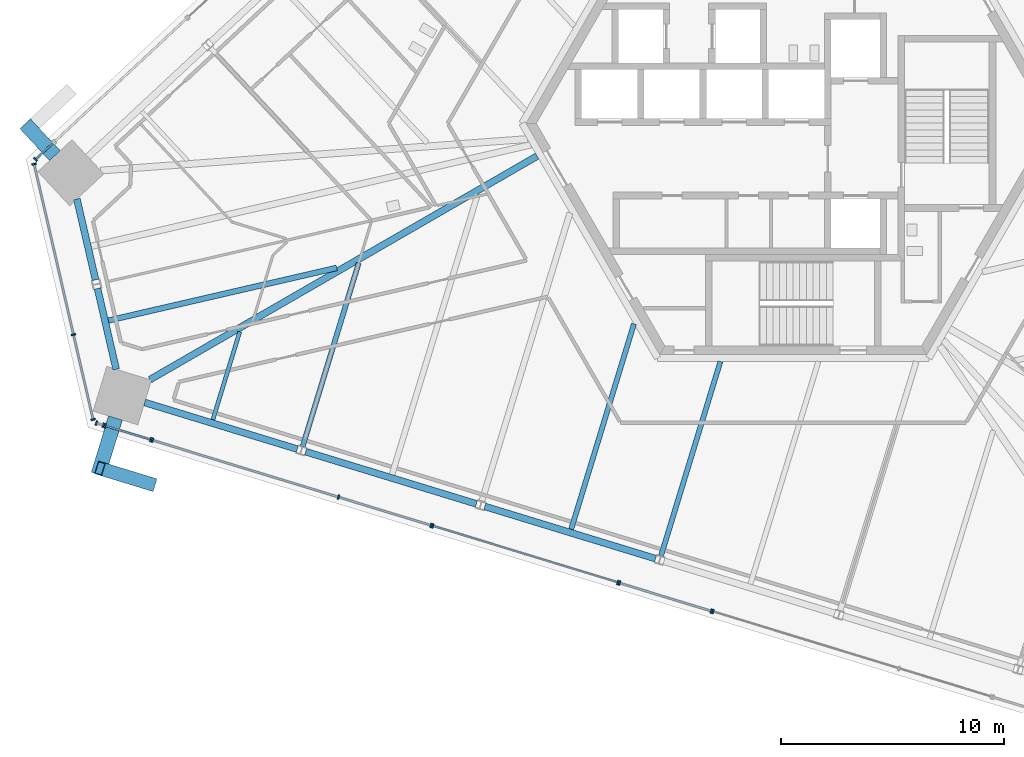
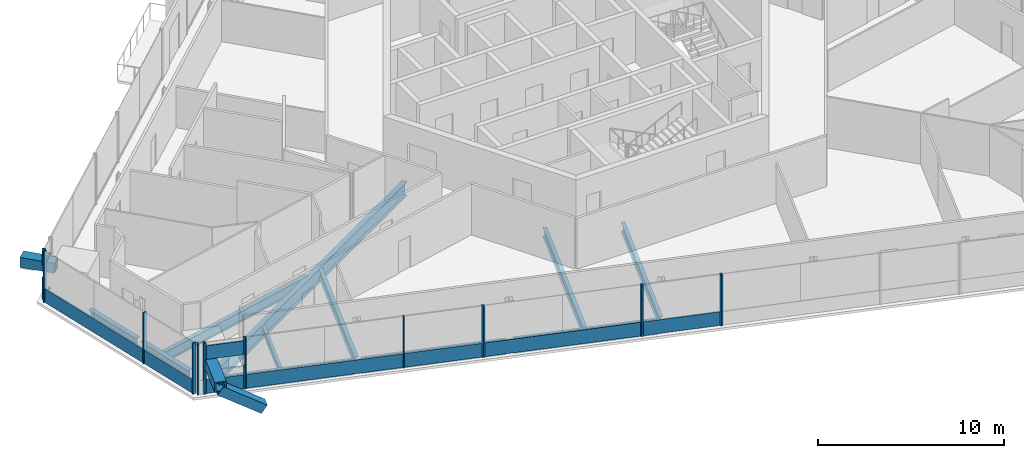
# One storey, part 4 of 25: 32 members, 11 beams, 10 elements without a shape of their own.
"""IFC4 building model written with IfcOpenShell, lengths in metres."""

from ifc_helpers import new_model, si_unit, direction, frame, origin, origin_2d, place, context, subcontext, project, spatial, rectangle, hollow_rectangle, i_section, extrude, source, transform, mapped, material, material_profile, profile_set, type_object, element, aggregate, save


model = new_model("IFC4")

# Units and contexts
model_context = context("Model", 3, precision=1e-05, world=origin(), true_north=direction((0.0, 1.0)))
body_context = subcontext(model_context, "Body", "Model", "MODEL_VIEW")
ifc_project = project(units=[si_unit("LENGTHUNIT", "METRE"), si_unit("AREAUNIT", "SQUARE_METRE"), si_unit("VOLUMEUNIT", "CUBIC_METRE"), si_unit("PLANEANGLEUNIT", "RADIAN"), si_unit("MASSUNIT", "GRAM", prefix="KILO")], contexts=[model_context])

# Site, building, storey
site_placement = place(None, origin())
site = spatial("IfcSite", under=ifc_project, at=site_placement, CompositionType="ELEMENT")
building_placement = place(site_placement, origin())
building = spatial("IfcBuilding", under=site, at=building_placement, Name="Triune Harvest Tower", CompositionType="ELEMENT")
storey_placement = place(building_placement, frame((0.0, 0.0, 130.699951171875)))
storey = spatial("IfcBuildingStorey", under=building, at=storey_placement, Name="L33", CompositionType="ELEMENT", Elevation=130.699951171875)

# Beams
ifc_material_1 = material(Name="Steel ASTM A992 Gr 50", Category="steel")
ifc_material_profile_1 = material_profile(ifc_material_1, i_section(OverallWidth=0.3046875, OverallDepth=0.914306640625, WebThickness=0.0166015625, FlangeThickness=0.02587890625, at=origin_2d()), Name="W36x160")
ifc_profile_set_1 = profile_set([ifc_material_profile_1], Name="Steel ASTM A992 Gr 50")
beam_type_1 = type_object("IfcBeamType", Name="SB-1 Spandrel beam W36x160", PredefinedType="SPANDREL", material=ifc_profile_set_1)
shared_shape_1 = source(origin(), body_context, "Body", "SweptSolid", [
    extrude(i_section(OverallWidth=0.3046875, OverallDepth=0.914306640625, WebThickness=0.0166015625, FlangeThickness=0.02587890625, at=origin_2d()), origin(), (0.0, 0.0, 1.0), 8.018310546875),
])
beam_1_placement = place(storey_placement, frame((-21.8994140625, -14.747314453125, -0.6171875), z_axis=(0.956308069579, -0.292360866152, 0.0), x_axis=(0.292360866152, 0.956308069579, 0.0)))
element("IfcBeam", 1, at=beam_1_placement, inside=storey, type_object=beam_type_1, Name="beam/L33/SB18", PredefinedType="SPANDREL", context=body_context, shape_type="MappedRepresentation", body=[
    mapped(shared_shape_1, transform((0.0, 0.0, 0.0), scale=1.0)),
])
shared_shape_2 = source(origin(), body_context, "Body", "SweptSolid", [
    extrude(i_section(OverallWidth=0.3046875, OverallDepth=0.914306640625, WebThickness=0.0166015625, FlangeThickness=0.02587890625, at=origin_2d()), origin(), (0.0, 0.0, 1.0), 8.01806640625),
])
beam_2_placement = place(storey_placement, frame((-13.8525390625, -17.207275390625, -0.6171875), z_axis=(0.956305466934, -0.292369379231, 0.0), x_axis=(0.292369379231, 0.956305466934, 0.0)))
element("IfcBeam", 2, at=beam_2_placement, inside=storey, type_object=beam_type_1, Name="beam/L33/SB19", PredefinedType="SPANDREL", context=body_context, shape_type="MappedRepresentation", body=[
    mapped(shared_shape_2, transform((0.0, 0.0, 0.0), scale=1.0)),
])
shared_shape_3 = source(origin(), body_context, "Body", "SweptSolid", [
    extrude(i_section(OverallWidth=0.3046875, OverallDepth=0.914306640625, WebThickness=0.0166015625, FlangeThickness=0.02587890625, at=origin_2d()), origin(), (0.0, 0.0, 1.0), 7.16650390625),
])
beam_3_placement = place(storey_placement, frame((-29.131591796875, -12.5361328125, -0.6171875), z_axis=(0.956306336732, -0.292366534211, 0.0), x_axis=(0.292366534211, 0.956306336732, 0.0)))
element("IfcBeam", 3, at=beam_3_placement, inside=storey, type_object=beam_type_1, Name="beam/L33/SB17", PredefinedType="SPANDREL", context=body_context, shape_type="MappedRepresentation", body=[
    mapped(shared_shape_3, transform((0.0, 0.0, 0.0), scale=1.0)),
])
shared_shape_4 = source(origin(), body_context, "Body", "SweptSolid", [
    extrude(i_section(OverallWidth=0.3046875, OverallDepth=0.914306640625, WebThickness=0.0166015625, FlangeThickness=0.02587890625, at=origin_2d()), origin(), (0.0, 0.0, 1.0), 3.72607421875),
])
for number, where, z_axis, x_axis, name in (
    (4, (-32.173828125, -3.400390625, -0.6171875), (0.224936070713, -0.974373523908, 0.0), (0.974373523908, 0.224936070713, 0.0), "beam/L33/SB15"),
    (5, (-31.24658203125, -7.4169921875, -0.6171875), (0.224998275907, -0.974359161623, 0.0), (0.974359161623, 0.224998275907, 0.0), "beam/L33/SB16"),
):
    element("IfcBeam", number, at=place(storey_placement, frame(where, z_axis=z_axis, x_axis=x_axis)), inside=storey, type_object=beam_type_1, Name=name, PredefinedType="SPANDREL", context=body_context, shape_type="MappedRepresentation", body=[
        mapped(shared_shape_4, transform((0.0, 0.0, 0.0), scale=1.0)),
    ])
ifc_material_2 = material(Name="Steel ASTM A992 Gr 50", Category="steel")
ifc_material_profile_2 = material_profile(ifc_material_2, i_section(OverallWidth=0.307373046875, OverallDepth=0.922119140625, WebThickness=0.018310546875, FlangeThickness=0.030029296875, at=origin_2d()), Name="W36x182")
ifc_profile_set_2 = profile_set([ifc_material_profile_2], Name="Steel ASTM A992 Gr 50")
beam_type_2 = type_object("IfcBeamType", Name="HG-2 Hip girder W36x182", PredefinedType="BEAM", material=ifc_profile_set_2)
shared_shape_5 = source(origin(), body_context, "Body", "SweptSolid", [
    extrude(i_section(OverallWidth=0.307373046875, OverallDepth=0.922119140625, WebThickness=0.018310546875, FlangeThickness=0.030029296875, at=origin_2d()), origin(), (0.0, 0.0, 1.0), 20.080078125),
])
beam_4_placement = place(storey_placement, frame((-28.892333984375, -11.51123046875, -0.620849609375), z_axis=(0.866025837197, 0.499999249307, 0.0), x_axis=(-0.499999249307, 0.866025837197, 0.0)))
element("IfcBeam", 6, at=beam_4_placement, inside=storey, type_object=beam_type_2, Name="beam/L33/HG6", PredefinedType="BEAM", context=body_context, shape_type="MappedRepresentation", body=[
    mapped(shared_shape_5, transform((0.0, 0.0, 0.0), scale=1.0)),
])
ifc_material_3 = material(Name="Steel ASTM A992 Gr 50", Category="steel")
ifc_material_profile_3 = material_profile(ifc_material_3, i_section(OverallWidth=0.22900390625, OverallDepth=0.612060546875, WebThickness=0.011962890625, FlangeThickness=0.01953125, at=origin_2d()), Name="W24x84")
ifc_profile_set_3 = profile_set([ifc_material_profile_3], Name="Steel ASTM A992 Gr 50")
beam_type_3 = type_object("IfcBeamType", Name="JT-3 Floor joist W24x84", PredefinedType="JOIST", material=ifc_profile_set_3)
shared_shape_6 = source(origin(), body_context, "Body", "SweptSolid", [
    extrude(i_section(OverallWidth=0.22900390625, OverallDepth=0.612060546875, WebThickness=0.011962890625, FlangeThickness=0.01953125, at=origin_2d()), origin(), (0.0, 0.0, 1.0), 9.129150390625),
])
beam_5_placement = place(storey_placement, frame((-5.939453125, -19.42724609375, -0.466064453125), z_axis=(0.292356457167, 0.956309417476, 0.0), x_axis=(-0.956309417476, 0.292356457167, 0.0)))
element("IfcBeam", 7, at=beam_5_placement, inside=storey, type_object=beam_type_3, Name="beam/L33/JT32", PredefinedType="JOIST", context=body_context, shape_type="MappedRepresentation", body=[
    mapped(shared_shape_6, transform((0.0, 0.0, 0.0), scale=1.0)),
])
ifc_material_4 = material(Name="Steel ASTM A992 Gr 50", Category="steel")
ifc_material_profile_4 = material_profile(ifc_material_4, i_section(OverallWidth=0.180908203125, OverallDepth=0.41650390625, WebThickness=0.010986328125, FlangeThickness=0.01806640625, at=origin_2d()), Name="W16x57")
ifc_profile_set_4 = profile_set([ifc_material_profile_4], Name="Steel ASTM A992 Gr 50")
beam_type_4 = type_object("IfcBeamType", Name="JT-1 Floor joist W16x57", PredefinedType="JOIST", material=ifc_profile_set_4)
shared_shape_7 = source(origin(), body_context, "Body", "SweptSolid", [
    extrude(i_section(OverallWidth=0.180908203125, OverallDepth=0.41650390625, WebThickness=0.010986328125, FlangeThickness=0.01806640625, at=origin_2d()), origin(), (0.0, 0.0, 1.0), 4.134033203125),
])
beam_6_placement = place(storey_placement, frame((-26.067626953125, -13.3134765625, -0.3681640625), z_axis=(0.29238807321, 0.956299751461, 0.0), x_axis=(-0.956299751461, 0.29238807321, 0.0)))
element("IfcBeam", 8, at=beam_6_placement, inside=storey, type_object=beam_type_4, Name="beam/L33/JT27", PredefinedType="JOIST", context=body_context, shape_type="MappedRepresentation", body=[
    mapped(shared_shape_7, transform((0.0, 0.0, 0.0), scale=1.0)),
])
shared_shape_8 = source(origin(), body_context, "Body", "SweptSolid", [
    extrude(i_section(OverallWidth=0.22900390625, OverallDepth=0.612060546875, WebThickness=0.011962890625, FlangeThickness=0.01953125, at=origin_2d()), origin(), (0.0, 0.0, 1.0), 8.607666015625),
])
beam_7_placement = place(storey_placement, frame((-22.033203125, -14.507080078125, -0.466064453125), z_axis=(0.29237129862, 0.956304880121, 0.0), x_axis=(-0.956304880121, 0.29237129862, 0.0)))
element("IfcBeam", 9, at=beam_7_placement, inside=storey, type_object=beam_type_3, Name="beam/L33/JT28", PredefinedType="JOIST", context=body_context, shape_type="MappedRepresentation", body=[
    mapped(shared_shape_8, transform((0.0, 0.0, 0.0), scale=1.0)),
])
shared_shape_9 = source(origin(), body_context, "Body", "SweptSolid", [
    extrude(i_section(OverallWidth=0.22900390625, OverallDepth=0.612060546875, WebThickness=0.011962890625, FlangeThickness=0.01953125, at=origin_2d()), origin(), (0.0, 0.0, 1.0), 9.64990234375),
])
beam_8_placement = place(storey_placement, frame((-9.97412109375, -18.233642578125, -0.466064453125), z_axis=(0.292387575984, 0.956299903488, 0.0), x_axis=(-0.956299903488, 0.292387575984, 0.0)))
element("IfcBeam", 10, at=beam_8_placement, inside=storey, type_object=beam_type_3, Name="beam/L33/JT31", PredefinedType="JOIST", context=body_context, shape_type="MappedRepresentation", body=[
    mapped(shared_shape_9, transform((0.0, 0.0, 0.0), scale=1.0)),
])
ifc_material_5 = material(Name="Steel ASTM A992 Gr 50", Category="steel")
ifc_material_profile_5 = material_profile(ifc_material_5, i_section(OverallWidth=0.253662109375, OverallDepth=0.683349609375, WebThickness=0.012451171875, FlangeThickness=0.01904296875, at=origin_2d()), Name="W27x94")
ifc_profile_set_5 = profile_set([ifc_material_profile_5], Name="Steel ASTM A992 Gr 50")
beam_type_5 = type_object("IfcBeamType", Name="JT-4 Floor joist W27x94", PredefinedType="JOIST", material=ifc_profile_set_5)
shared_shape_10 = source(origin(), body_context, "Body", "SweptSolid", [
    extrude(i_section(OverallWidth=0.253662109375, OverallDepth=0.683349609375, WebThickness=0.012451171875, FlangeThickness=0.01904296875, at=origin_2d()), origin(), (0.0, 0.0, 1.0), 10.52294921875),
])
beam_9_placement = place(storey_placement, frame((-30.75732421875, -8.858154296875, -0.50146484375), z_axis=(0.974368902387, 0.224956089186, 0.0), x_axis=(-0.224956089186, 0.974368902387, 0.0)))
element("IfcBeam", 11, at=beam_9_placement, inside=storey, type_object=beam_type_5, Name="beam/L33/JT26", PredefinedType="JOIST", context=body_context, shape_type="MappedRepresentation", body=[
    mapped(shared_shape_10, transform((0.0, 0.0, 0.0), scale=1.0)),
])

# Members
ifc_material_6 = material(Name="Steel ASTM A572 Gr 50", Category="steel")
ifc_material_profile_6 = material_profile(ifc_material_6, hollow_rectangle(XDim=0.64990234375, YDim=0.64990234375, WallThickness=0.070068359375, at=origin_2d()), Name="Box 650x650x70")
ifc_profile_set_6 = profile_set([ifc_material_profile_6], Name="Steel ASTM A572 Gr 50")
member_type_1 = type_object("IfcMemberType", Name="BS-1 Brace stub Box 650x650x70", PredefinedType="STRUT", material=ifc_profile_set_6)
shared_shape_11 = source(origin(), body_context, "Body", "SweptSolid", [
    extrude(hollow_rectangle(XDim=0.64990234375, YDim=0.64990234375, WallThickness=0.070068359375, at=origin_2d()), origin(), (0.0, 0.0, 1.0), 1.94873046875),
])
member_1_placement = place(storey_placement, frame((-33.16259765625, -1.451171875, 1.85009765625), z_axis=(-0.681996814021, 0.731355143323, 0.0), x_axis=(-0.731355143323, -0.681996814021, 0.0)))
element("IfcMember", 12, at=member_1_placement, inside=storey, type_object=member_type_1, Name="brace/B3-F3/stub2", PredefinedType="STRUT", context=body_context, shape_type="MappedRepresentation", body=[
    mapped(shared_shape_11, transform((0.0, 0.0, 0.0), scale=1.0)),
])
shared_shape_12 = source(origin(), body_context, "Body", "SweptSolid", [
    extrude(hollow_rectangle(XDim=0.64990234375, YDim=0.64990234375, WallThickness=0.070068359375, at=origin_2d()), origin(), (0.0, 0.0, 1.0), 2.648681640625),
])
member_2_placement = place(storey_placement, frame((-30.442626953125, -13.233154296875, 1.85009765625), z_axis=(-0.29237542885, -0.956303617375, 0.0), x_axis=(0.956303617375, -0.29237542885, 0.0)))
element("IfcMember", 13, at=member_2_placement, inside=storey, type_object=member_type_1, Name="brace/B3-F5/stub4", PredefinedType="STRUT", context=body_context, shape_type="MappedRepresentation", body=[
    mapped(shared_shape_12, transform((0.0, 0.0, 0.0), scale=1.0)),
])
ifc_material_7 = material(Name="Steel ASTM A572 Gr 50", Category="steel")
ifc_material_profile_7 = material_profile(ifc_material_7, hollow_rectangle(XDim=0.60009765625, YDim=0.60009765625, WallThickness=0.0400390625, at=origin_2d()), Name="Box 600x600x40")
ifc_profile_set_7 = profile_set([ifc_material_profile_7], Name="Steel ASTM A572 Gr 50")
member_type_2 = type_object("IfcMemberType", Name="BR-2 Brace Box 600x600x40", PredefinedType="BRACE", material=ifc_profile_set_7)
shared_shape_13 = source(origin(), body_context, "Body", "SweptSolid", [
    extrude(hollow_rectangle(XDim=0.60009765625, YDim=0.60009765625, WallThickness=0.0400390625, at=origin_2d()), origin(), (0.0, 0.0, 1.0), 2.893310546875),
])
member_3_placement = place(storey_placement, frame((-28.821044921875, -16.205810546875, 0.0), z_axis=(-0.799738988938, 0.244528760281, 0.548291195413), x_axis=(-0.292397965248, -0.956296726921, 0.0)))
element("IfcMember", 14, at=member_3_placement, inside=storey, type_object=member_type_2, Name="brace/B3-F5/d2/10", PredefinedType="BRACE", context=body_context, shape_type="MappedRepresentation", body=[
    mapped(shared_shape_13, transform((0.0, 0.0, 0.0), scale=1.0)),
])

# Curtain wall, member
ifc_material_8 = material(Name="Aluminium bronze anodised", Category="aluminium")
curtain_wall_type_1 = type_object("IfcCurtainWallType", Name="CW-10 Balcony window wall with insulated spandrel infill", PredefinedType="NOTDEFINED", material=ifc_material_8)
curtain_wall_1_placement = place(storey_placement, origin())
curtain_wall_1 = element("IfcCurtainWall", 15, at=curtain_wall_1_placement, inside=storey, type_object=curtain_wall_type_1, Name="CW-10 B3-F3 L33 run 102")
ifc_material_9 = material(Name="Aluminium bronze anodised", Category="aluminium")
ifc_material_profile_8 = material_profile(ifc_material_9, rectangle(XDim=0.199951171875, YDim=0.074951171875, at=origin_2d()), Name="MU-6 mullion 75 x 200")
ifc_profile_set_8 = profile_set([ifc_material_profile_8], Name="Aluminium bronze anodised")
member_type_3 = type_object("IfcMemberType", Name="MU-6 mullion 75 x 200", PredefinedType="MULLION", material=ifc_profile_set_8)
shared_shape_14 = source(origin(), body_context, "Body", "SweptSolid", [
    extrude(rectangle(XDim=0.199951171875, YDim=0.074951171875, at=origin_2d()), origin(), (0.0, 0.0, 1.0), 1.465087890625),
])
member_4_placement = place(storey_placement, frame((-34.0302734375, -1.619384765625, 0.0), z_axis=(0.0, 0.0, 1.0), x_axis=(0.681968492791, -0.73138155216, 0.0)))
member_4 = element("IfcMember", 16, at=member_4_placement, type_object=member_type_3, Name="CW-10 mullion B3-F3 102.2", PredefinedType="MULLION", context=body_context, shape_type="MappedRepresentation", body=[
    mapped(shared_shape_14, transform((0.0, 0.0, 0.0), scale=1.0)),
])

ifc_material_10 = material(Name="Aluminium bronze anodised", Category="aluminium")
curtain_wall_type_2 = type_object("IfcCurtainWallType", Name="CW-6 Balcony window wall", PredefinedType="NOTDEFINED", material=ifc_material_10)
curtain_wall_2_placement = place(storey_placement, origin())
curtain_wall_2 = element("IfcCurtainWall", 17, at=curtain_wall_2_placement, inside=storey, type_object=curtain_wall_type_2, Name="CW-6 B3-F3 L33 run 202")
shared_shape_15 = source(origin(), body_context, "Body", "SweptSolid", [
    extrude(rectangle(XDim=0.199951171875, YDim=0.074951171875, at=origin_2d()), origin(), (0.0, 0.0, 1.0), 1.114990234375),
])
member_5_placement = place(storey_placement, frame((-34.0302734375, -1.619384765625, 2.235107421875), z_axis=(0.0, 0.0, 1.0), x_axis=(0.681968492791, -0.73138155216, 0.0)))
member_5 = element("IfcMember", 18, at=member_5_placement, type_object=member_type_3, Name="CW-6 mullion B3-F3 202.2", PredefinedType="MULLION", context=body_context, shape_type="MappedRepresentation", body=[
    mapped(shared_shape_15, transform((0.0, 0.0, 0.0), scale=1.0)),
])

# Curtain wall, members
ifc_material_11 = material(Name="Aluminium bronze anodised", Category="aluminium")
curtain_wall_type_3 = type_object("IfcCurtainWallType", Name="CW-7 Tower stick curtain wall with insulated spandrel infill", PredefinedType="NOTDEFINED", material=ifc_material_11)
curtain_wall_3_placement = place(storey_placement, origin())
curtain_wall_3 = element("IfcCurtainWall", 19, at=curtain_wall_3_placement, inside=storey, type_object=curtain_wall_type_3, Name="CW-7 B3-F4 L33 run 1")
ifc_material_12 = material(Name="Aluminium bronze anodised", Category="aluminium")
ifc_material_profile_9 = material_profile(ifc_material_12, rectangle(XDim=0.199951171875, YDim=0.074951171875, at=origin_2d()), Name="MU-1 mullion 75 x 200")
ifc_profile_set_9 = profile_set([ifc_material_profile_9], Name="Aluminium bronze anodised")
member_type_4 = type_object("IfcMemberType", Name="MU-1 mullion 75 x 200", PredefinedType="MULLION", material=ifc_profile_set_9)
shared_shape_16 = source(origin(), body_context, "Body", "SweptSolid", [
    extrude(rectangle(XDim=0.199951171875, YDim=0.074951171875, at=origin_2d()), origin(), (0.0, 0.0, 1.0), 3.35009765625),
])
member_6_placement = place(storey_placement, frame((-34.0947265625, -1.83056640625, 0.0), z_axis=(0.0, 0.0, 1.0), x_axis=(0.974371012181, 0.224946950683, 0.0)))
member_6 = element("IfcMember", 20, at=member_6_placement, type_object=member_type_4, Name="CW-7 mullion B3-F4 1.1", PredefinedType="MULLION", context=body_context, shape_type="MappedRepresentation", body=[
    mapped(shared_shape_16, transform((0.0, 0.0, 0.0), scale=1.0)),
])
member_7_placement = place(storey_placement, frame((-32.32666015625, -9.489501953125, 0.0), z_axis=(0.0, 0.0, 1.0), x_axis=(0.974371012181, 0.224946950683, 0.0)))
member_7 = element("IfcMember", 21, at=member_7_placement, type_object=member_type_4, Name="CW-7 mullion B3-F4 1.3", PredefinedType="MULLION", context=body_context, shape_type="MappedRepresentation", body=[
    mapped(shared_shape_16, transform((0.0, 0.0, 0.0), scale=1.0)),
])
member_8_placement = place(storey_placement, frame((-31.44677734375, -13.30078125, 0.0), z_axis=(0.0, 0.0, 1.0), x_axis=(0.974371012181, 0.224946950683, 0.0)))
member_8 = element("IfcMember", 22, at=member_8_placement, type_object=member_type_4, Name="CW-7 mullion B3-F4 1.4", PredefinedType="MULLION", context=body_context, shape_type="MappedRepresentation", body=[
    mapped(shared_shape_16, transform((0.0, 0.0, 0.0), scale=1.0)),
])

ifc_material_13 = material(Name="Aluminium bronze anodised", Category="aluminium")
curtain_wall_type_4 = type_object("IfcCurtainWallType", Name="CW-1 Tower stick curtain wall", PredefinedType="NOTDEFINED", material=ifc_material_13)
curtain_wall_4_placement = place(storey_placement, origin())
curtain_wall_4 = element("IfcCurtainWall", 23, at=curtain_wall_4_placement, inside=storey, type_object=curtain_wall_type_4, Name="CW-1 B3-F5 L33 run 1")
member_9_placement = place(storey_placement, frame((-31.296142578125, -13.462158203125, 0.0), z_axis=(0.0, 0.0, 1.0), x_axis=(0.292458820477, 0.956278117665, 0.0)))
member_9 = element("IfcMember", 24, at=member_9_placement, type_object=member_type_4, Name="CW-1 mullion B3-F5 1.1", PredefinedType="MULLION", context=body_context, shape_type="MappedRepresentation", body=[
    mapped(shared_shape_16, transform((0.0, 0.0, 0.0), scale=1.0)),
])
member_10_placement = place(storey_placement, frame((-30.983642578125, -13.557861328125, 0.0), z_axis=(0.0, 0.0, 1.0), x_axis=(0.292458820477, 0.956278117665, 0.0)))
member_10 = element("IfcMember", 25, at=member_10_placement, type_object=member_type_4, Name="CW-1 mullion B3-F5 1.2", PredefinedType="MULLION", context=body_context, shape_type="MappedRepresentation", body=[
    mapped(shared_shape_16, transform((0.0, 0.0, 0.0), scale=1.0)),
])
aggregate(curtain_wall_4, [member_9, member_10])

curtain_wall_5_placement = place(storey_placement, origin())
curtain_wall_5 = element("IfcCurtainWall", 26, at=curtain_wall_5_placement, inside=storey, type_object=curtain_wall_type_3, Name="CW-7 B3-F5 L33 run 301")
member_11_placement = place(storey_placement, frame((-28.77734375, -14.232421875, 0.0), z_axis=(0.0, 0.0, 1.0), x_axis=(0.292370846839, 0.956305018244, 0.0)))
member_11 = element("IfcMember", 27, at=member_11_placement, type_object=member_type_4, Name="CW-7 mullion B3-F5 301.1", PredefinedType="MULLION", context=body_context, shape_type="MappedRepresentation", body=[
    mapped(shared_shape_16, transform((0.0, 0.0, 0.0), scale=1.0)),
])
member_12_placement = place(storey_placement, frame((-20.4228515625, -16.78662109375, 0.0), z_axis=(0.0, 0.0, 1.0), x_axis=(0.292370846839, 0.956305018244, 0.0)))
member_12 = element("IfcMember", 28, at=member_12_placement, type_object=member_type_4, Name="CW-7 mullion B3-F5 301.3", PredefinedType="MULLION", context=body_context, shape_type="MappedRepresentation", body=[
    mapped(shared_shape_16, transform((0.0, 0.0, 0.0), scale=1.0)),
])
member_13_placement = place(storey_placement, frame((-16.263671875, -18.05810546875, 0.0), z_axis=(0.0, 0.0, 1.0), x_axis=(0.292370846839, 0.956305018244, 0.0)))
member_13 = element("IfcMember", 29, at=member_13_placement, type_object=member_type_4, Name="CW-7 mullion B3-F5 301.4", PredefinedType="MULLION", context=body_context, shape_type="MappedRepresentation", body=[
    mapped(shared_shape_16, transform((0.0, 0.0, 0.0), scale=1.0)),
])

curtain_wall_6_placement = place(storey_placement, origin())
curtain_wall_6 = element("IfcCurtainWall", 30, at=curtain_wall_6_placement, inside=storey, type_object=curtain_wall_type_4, Name="CW-1 B3-F5 L33 run 1301")
member_14_placement = place(storey_placement, frame((-16.19189453125, -18.080078125, 0.0), z_axis=(0.0, 0.0, 1.0), x_axis=(0.292377795875, 0.95630289369, 0.0)))
member_14 = element("IfcMember", 31, at=member_14_placement, type_object=member_type_4, Name="CW-1 mullion B3-F5 1301.1", PredefinedType="MULLION", context=body_context, shape_type="MappedRepresentation", body=[
    mapped(shared_shape_16, transform((0.0, 0.0, 0.0), scale=1.0)),
])
member_15_placement = place(storey_placement, frame((-7.87353515625, -20.623291015625, 0.0), z_axis=(0.0, 0.0, 1.0), x_axis=(0.292377795875, 0.95630289369, 0.0)))
member_15 = element("IfcMember", 32, at=member_15_placement, type_object=member_type_4, Name="CW-1 mullion B3-F5 1301.3", PredefinedType="MULLION", context=body_context, shape_type="MappedRepresentation", body=[
    mapped(shared_shape_16, transform((0.0, 0.0, 0.0), scale=1.0)),
])

curtain_wall_7_placement = place(storey_placement, origin())
curtain_wall_7 = element("IfcCurtainWall", 33, at=curtain_wall_7_placement, inside=storey, type_object=curtain_wall_type_3, Name="CW-7 B3-F5 L33 run 2301")
member_16_placement = place(storey_placement, frame((-7.8017578125, -20.645263671875, 0.0), z_axis=(0.0, 0.0, 1.0), x_axis=(0.292384169722, 0.956300944942, 0.0)))
member_16 = element("IfcMember", 34, at=member_16_placement, type_object=member_type_4, Name="CW-7 mullion B3-F5 2301.1", PredefinedType="MULLION", context=body_context, shape_type="MappedRepresentation", body=[
    mapped(shared_shape_16, transform((0.0, 0.0, 0.0), scale=1.0)),
])
member_17_placement = place(storey_placement, frame((-3.678466796875, -21.906005859375, 0.0), z_axis=(0.0, 0.0, 1.0), x_axis=(0.292384169722, 0.956300944942, 0.0)))
member_17 = element("IfcMember", 35, at=member_17_placement, type_object=member_type_4, Name="CW-7 mullion B3-F5 2301.2", PredefinedType="MULLION", context=body_context, shape_type="MappedRepresentation", body=[
    mapped(shared_shape_16, transform((0.0, 0.0, 0.0), scale=1.0)),
])

# Curtain wall, member
curtain_wall_8_placement = place(storey_placement, origin())
curtain_wall_8 = element("IfcCurtainWall", 36, at=curtain_wall_8_placement, inside=storey, type_object=curtain_wall_type_4, Name="CW-1 B3-F5 L33 run 3301")
member_18_placement = place(storey_placement, frame((-3.606689453125, -21.927978515625, 0.0), z_axis=(0.0, 0.0, 1.0), x_axis=(0.292370846839, 0.956305018244, 0.0)))
member_18 = element("IfcMember", 37, at=member_18_placement, type_object=member_type_4, Name="CW-1 mullion B3-F5 3301.1", PredefinedType="MULLION", context=body_context, shape_type="MappedRepresentation", body=[
    mapped(shared_shape_16, transform((0.0, 0.0, 0.0), scale=1.0)),
])
aggregate(curtain_wall_8, [member_18])

# Curtain wall, members
curtain_wall_9_placement = place(storey_placement, origin())
curtain_wall_9 = element("IfcCurtainWall", 38, at=curtain_wall_9_placement, inside=storey, type_object=curtain_wall_type_3, Name="CW-7 B3-F5 L33 run 101")
shared_shape_17 = source(origin(), body_context, "Body", "SweptSolid", [
    extrude(rectangle(XDim=0.199951171875, YDim=0.074951171875, at=origin_2d()), origin(), (0.0, 0.0, 1.0), 1.465087890625),
])
member_19_placement = place(storey_placement, frame((-30.911865234375, -13.579833984375, 0.0), z_axis=(0.0, 0.0, 1.0), x_axis=(0.292353970989, 0.95631017753, 0.0)))
member_19 = element("IfcMember", 39, at=member_19_placement, type_object=member_type_4, Name="CW-7 mullion B3-F5 101.1", PredefinedType="MULLION", context=body_context, shape_type="MappedRepresentation", body=[
    mapped(shared_shape_17, transform((0.0, 0.0, 0.0), scale=1.0)),
])
member_20_placement = place(storey_placement, frame((-28.848876953125, -14.21044921875, 0.0), z_axis=(0.0, 0.0, 1.0), x_axis=(0.292353970989, 0.95631017753, 0.0)))
member_20 = element("IfcMember", 40, at=member_20_placement, type_object=member_type_4, Name="CW-7 mullion B3-F5 101.2", PredefinedType="MULLION", context=body_context, shape_type="MappedRepresentation", body=[
    mapped(shared_shape_17, transform((0.0, 0.0, 0.0), scale=1.0)),
])

curtain_wall_10_placement = place(storey_placement, origin())
curtain_wall_10 = element("IfcCurtainWall", 41, at=curtain_wall_10_placement, inside=storey, type_object=curtain_wall_type_4, Name="CW-1 B3-F5 L33 run 201")
shared_shape_18 = source(origin(), body_context, "Body", "SweptSolid", [
    extrude(rectangle(XDim=0.199951171875, YDim=0.074951171875, at=origin_2d()), origin(), (0.0, 0.0, 1.0), 1.114990234375),
])
member_21_placement = place(storey_placement, frame((-30.911865234375, -13.579833984375, 2.235107421875), z_axis=(0.0, 0.0, 1.0), x_axis=(0.292353970989, 0.95631017753, 0.0)))
member_21 = element("IfcMember", 42, at=member_21_placement, type_object=member_type_4, Name="CW-1 mullion B3-F5 201.1", PredefinedType="MULLION", context=body_context, shape_type="MappedRepresentation", body=[
    mapped(shared_shape_18, transform((0.0, 0.0, 0.0), scale=1.0)),
])
member_22_placement = place(storey_placement, frame((-28.848876953125, -14.21044921875, 2.235107421875), z_axis=(0.0, 0.0, 1.0), x_axis=(0.292353970989, 0.95631017753, 0.0)))
member_22 = element("IfcMember", 43, at=member_22_placement, type_object=member_type_4, Name="CW-1 mullion B3-F5 201.2", PredefinedType="MULLION", context=body_context, shape_type="MappedRepresentation", body=[
    mapped(shared_shape_18, transform((0.0, 0.0, 0.0), scale=1.0)),
])

# Member
ifc_material_14 = material(Name="Aluminium bronze anodised", Category="aluminium")
ifc_material_profile_10 = material_profile(ifc_material_14, rectangle(XDim=0.090087890625, YDim=0.89990234375, at=origin_2d()), Name="TR-1 transom 90 x 900")
ifc_profile_set_10 = profile_set([ifc_material_profile_10], Name="Aluminium bronze anodised")
member_type_5 = type_object("IfcMemberType", Name="TR-1 transom 90 x 900", PredefinedType="USERDEFINED", material=ifc_profile_set_10)
shared_shape_19 = source(origin(), body_context, "Body", "SweptSolid", [
    extrude(rectangle(XDim=0.090087890625, YDim=0.89990234375, at=origin_2d()), origin(), (0.0, 0.0, 1.0), 2.082275390625),
])
member_23_placement = place(storey_placement, frame((-30.8759765625, -13.5908203125, 0.449951171875), z_axis=(0.95632243902, -0.292313859794, 0.0), x_axis=(0.292313859794, 0.95632243902, 0.0)))
member_23 = element("IfcMember", 44, at=member_23_placement, type_object=member_type_5, Name="CW-7 transom B3-F5 101.1", ObjectType="TRANSOM", PredefinedType="USERDEFINED", context=body_context, shape_type="MappedRepresentation", body=[
    mapped(shared_shape_19, transform((0.0, 0.0, 0.0), scale=1.0)),
])

aggregate(curtain_wall_9, [member_19, member_20, member_23])

member_24_placement = place(storey_placement, frame((-30.8759765625, -13.5908203125, 2.68505859375), z_axis=(0.95632243902, -0.292313859794, 0.0), x_axis=(0.292313859794, 0.95632243902, 0.0)))
member_24 = element("IfcMember", 45, at=member_24_placement, type_object=member_type_5, Name="CW-1 transom B3-F5 201.1", ObjectType="TRANSOM", PredefinedType="USERDEFINED", context=body_context, shape_type="MappedRepresentation", body=[
    mapped(shared_shape_19, transform((0.0, 0.0, 0.0), scale=1.0)),
])

aggregate(curtain_wall_10, [member_21, member_22, member_24])

shared_shape_20 = source(origin(), body_context, "Body", "SweptSolid", [
    extrude(rectangle(XDim=0.090087890625, YDim=0.89990234375, at=origin_2d()), origin(), (0.0, 0.0, 1.0), 3.83642578125),
])
member_25_placement = place(storey_placement, frame((-32.318115234375, -9.526123046875, 0.449951171875), z_axis=(0.224901336827, -0.974381541642, 0.0), x_axis=(0.974381541642, 0.224901336827, 0.0)))
member_25 = element("IfcMember", 46, at=member_25_placement, type_object=member_type_5, Name="CW-7 transom B3-F4 1.2", ObjectType="TRANSOM", PredefinedType="USERDEFINED", context=body_context, shape_type="MappedRepresentation", body=[
    mapped(shared_shape_20, transform((0.0, 0.0, 0.0), scale=1.0)),
])

shared_shape_21 = source(origin(), body_context, "Body", "SweptSolid", [
    extrude(rectangle(XDim=0.090087890625, YDim=0.89990234375, at=origin_2d()), origin(), (0.0, 0.0, 1.0), 8.6611328125),
])
member_26_placement = place(storey_placement, frame((-28.741455078125, -14.243408203125, 0.449951171875), z_axis=(0.956306482726, -0.292366056677, 0.0), x_axis=(0.292366056677, 0.956306482726, 0.0)))
member_26 = element("IfcMember", 47, at=member_26_placement, type_object=member_type_5, Name="CW-7 transom B3-F5 301.1", ObjectType="TRANSOM", PredefinedType="USERDEFINED", context=body_context, shape_type="MappedRepresentation", body=[
    mapped(shared_shape_21, transform((0.0, 0.0, 0.0), scale=1.0)),
])

shared_shape_22 = source(origin(), body_context, "Body", "SweptSolid", [
    extrude(rectangle(XDim=0.090087890625, YDim=0.89990234375, at=origin_2d()), origin(), (0.0, 0.0, 1.0), 4.274169921875),
])
member_27_placement = place(storey_placement, frame((-20.386962890625, -16.797607421875, 0.449951171875), z_axis=(0.956313428746, -0.292343335822, 0.0), x_axis=(0.292343335822, 0.956313428746, 0.0)))
member_27 = element("IfcMember", 48, at=member_27_placement, type_object=member_type_5, Name="CW-7 transom B3-F5 301.2", ObjectType="TRANSOM", PredefinedType="USERDEFINED", context=body_context, shape_type="MappedRepresentation", body=[
    mapped(shared_shape_22, transform((0.0, 0.0, 0.0), scale=1.0)),
])

aggregate(curtain_wall_5, [member_11, member_12, member_13, member_26, member_27])

shared_shape_23 = source(origin(), body_context, "Body", "SweptSolid", [
    extrude(rectangle(XDim=0.090087890625, YDim=0.89990234375, at=origin_2d()), origin(), (0.0, 0.0, 1.0), 7.785400390625),
])
member_28_placement = place(storey_placement, frame((-34.08642578125, -1.8671875, 0.449951171875), z_axis=(0.22493508372, -0.974373751756, 0.0), x_axis=(0.974373751756, 0.22493508372, 0.0)))
member_28 = element("IfcMember", 49, at=member_28_placement, type_object=member_type_5, Name="CW-7 transom B3-F4 1.1", ObjectType="TRANSOM", PredefinedType="USERDEFINED", context=body_context, shape_type="MappedRepresentation", body=[
    mapped(shared_shape_23, transform((0.0, 0.0, 0.0), scale=1.0)),
])

aggregate(curtain_wall_3, [member_6, member_7, member_8, member_28, member_25])

shared_shape_24 = source(origin(), body_context, "Body", "SweptSolid", [
    extrude(rectangle(XDim=0.090087890625, YDim=0.89990234375, at=origin_2d()), origin(), (0.0, 0.0, 1.0), 4.236572265625),
])
member_29_placement = place(storey_placement, frame((-7.765869140625, -20.65625, 0.449951171875), z_axis=(0.956298321571, -0.292392749843, 0.0), x_axis=(0.292392749843, 0.956298321571, 0.0)))
member_29 = element("IfcMember", 50, at=member_29_placement, type_object=member_type_5, Name="CW-7 transom B3-F5 2301.1", ObjectType="TRANSOM", PredefinedType="USERDEFINED", context=body_context, shape_type="MappedRepresentation", body=[
    mapped(shared_shape_24, transform((0.0, 0.0, 0.0), scale=1.0)),
])

aggregate(curtain_wall_7, [member_16, member_17, member_29])

shared_shape_25 = source(origin(), body_context, "Body", "SweptSolid", [
    extrude(rectangle(XDim=0.090087890625, YDim=0.89990234375, at=origin_2d()), origin(), (0.0, 0.0, 1.0), 8.623291015625),
])
member_30_placement = place(storey_placement, frame((-16.156005859375, -18.091064453125, 0.449951171875), z_axis=(0.956304526075, -0.292372456652, 0.0), x_axis=(0.292372456652, 0.956304526075, 0.0)))
member_30 = element("IfcMember", 51, at=member_30_placement, type_object=member_type_5, Name="CW-1 transom B3-F5 1301.1", ObjectType="TRANSOM", PredefinedType="USERDEFINED", context=body_context, shape_type="MappedRepresentation", body=[
    mapped(shared_shape_25, transform((0.0, 0.0, 0.0), scale=1.0)),
])

aggregate(curtain_wall_6, [member_14, member_15, member_30])

ifc_material_15 = material(Name="Aluminium bronze anodised", Category="aluminium")
ifc_material_profile_11 = material_profile(ifc_material_15, rectangle(XDim=0.090087890625, YDim=0.14990234375, at=origin_2d()), Name="TR-6 transom 90 x 150")
ifc_profile_set_11 = profile_set([ifc_material_profile_11], Name="Aluminium bronze anodised")
member_type_6 = type_object("IfcMemberType", Name="TR-6 transom 90 x 150", PredefinedType="USERDEFINED", material=ifc_profile_set_11)
shared_shape_26 = source(origin(), body_context, "Body", "SweptSolid", [
    extrude(rectangle(XDim=0.090087890625, YDim=0.14990234375, at=origin_2d()), origin(), (0.0, 0.0, 1.0), 1.021728515625),
])
member_31_placement = place(storey_placement, frame((-33.255615234375, -0.89697265625, 0.074951171875), z_axis=(-0.731404789712, -0.681943570676, 0.0), x_axis=(0.681943570676, -0.731404789712, 0.0)))
member_31 = element("IfcMember", 52, at=member_31_placement, type_object=member_type_6, Name="CW-10 transom B3-F3 102.1", ObjectType="TRANSOM", PredefinedType="USERDEFINED", context=body_context, shape_type="MappedRepresentation", body=[
    mapped(shared_shape_26, transform((0.0, 0.0, 0.0), scale=1.0)),
])

aggregate(curtain_wall_1, [member_4, member_31])

member_32_placement = place(storey_placement, frame((-33.255615234375, -0.89697265625, 2.31005859375), z_axis=(-0.731404789712, -0.681943570676, 0.0), x_axis=(0.681943570676, -0.731404789712, 0.0)))
member_32 = element("IfcMember", 53, at=member_32_placement, type_object=member_type_6, Name="CW-6 transom B3-F3 202.1", ObjectType="TRANSOM", PredefinedType="USERDEFINED", context=body_context, shape_type="MappedRepresentation", body=[
    mapped(shared_shape_26, transform((0.0, 0.0, 0.0), scale=1.0)),
])

aggregate(curtain_wall_2, [member_5, member_32])

save(model, "model.ifc")
